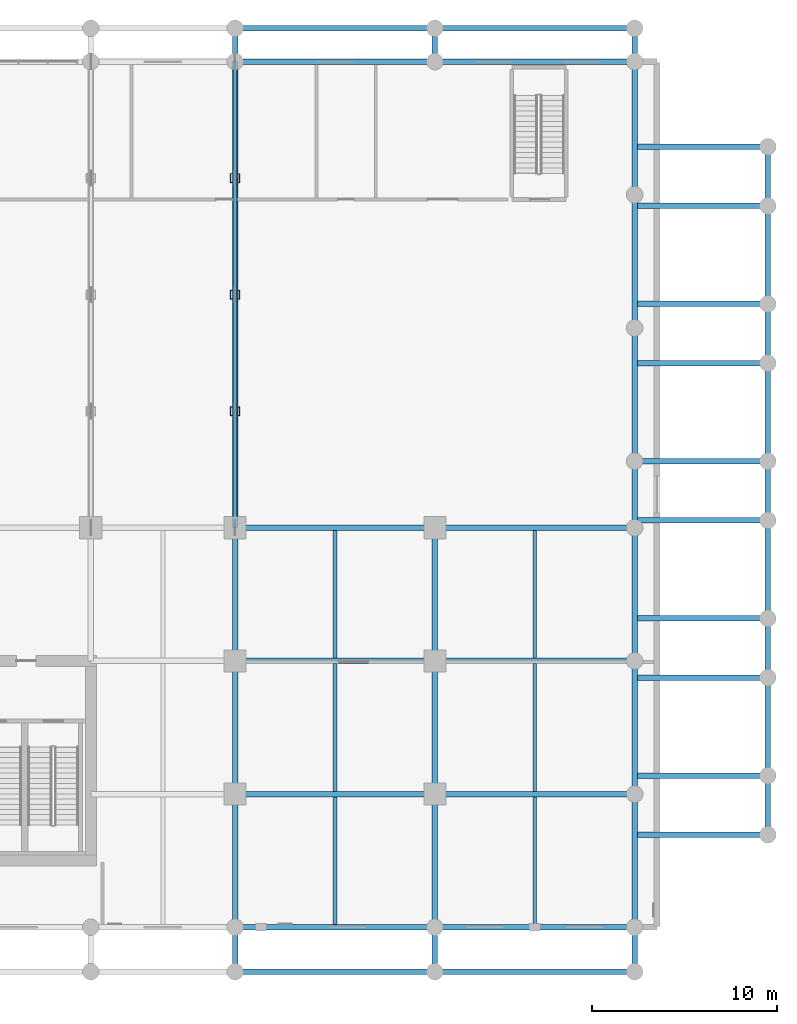
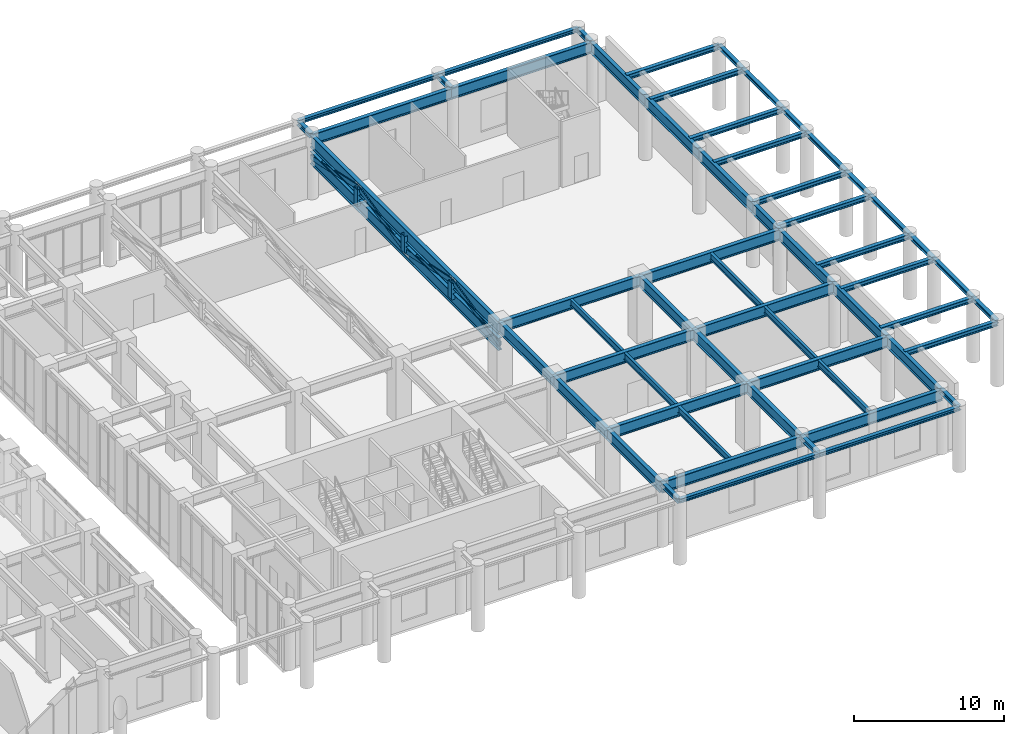
# One storey, part 10 of 24: 58 beams, 9 members.
"""IFC4 building model written with IfcOpenShell, lengths in metres."""

from ifc_helpers import new_model, si_unit, derived_unit, direction, frame, origin, origin_2d, place, context, subcontext, project, spatial, hollow_rectangle, i_section, extrude, source, transform, mapped, material, material_profile, profile_set, type_object, type_shapes, element, save


model = new_model("IFC4")

# Units and contexts
model_context = context("Model", 3, precision=1e-05, world=origin(), true_north=direction((0.0, 1.0)))
body_context = subcontext(model_context, "Body", "Model", "MODEL_VIEW")
ifc_project = project(units=[si_unit("LENGTHUNIT", "METRE"), si_unit("AREAUNIT", "SQUARE_METRE"), si_unit("VOLUMEUNIT", "CUBIC_METRE"), si_unit("PLANEANGLEUNIT", "RADIAN"), si_unit("MASSUNIT", "GRAM", prefix="KILO"), si_unit("THERMODYNAMICTEMPERATUREUNIT", "KELVIN"), si_unit("POWERUNIT", "WATT"), derived_unit("THERMALTRANSMITTANCEUNIT", [(si_unit("POWERUNIT", "WATT"), 1), (si_unit("AREAUNIT", "SQUARE_METRE"), -1), (si_unit("THERMODYNAMICTEMPERATUREUNIT", "KELVIN"), -1)])], contexts=[model_context])

# Site, building, storey
site_placement = place(None, origin())
site = spatial("IfcSite", under=ifc_project, at=site_placement, CompositionType="ELEMENT")
building_placement = place(site_placement, origin())
building = spatial("IfcBuilding", under=site, at=building_placement, Name="Zahravan Archway Hotel and Residences", CompositionType="ELEMENT")
storey_placement = place(building_placement, frame((0.0, 0.0, 10.800048828125)))
storey = spatial("IfcBuildingStorey", under=building, at=storey_placement, Name="L02", CompositionType="ELEMENT", Elevation=10.800048828125)

# Beams
ifc_material_1 = material(Name="Structural Steel S355J2", Category="steel")
ifc_material_profile_1 = material_profile(ifc_material_1, i_section(OverallWidth=0.300048828125, OverallDepth=0.89990234375, WebThickness=0.0185546875, FlangeThickness=0.034912109375, FilletRadius=0.030029296875, at=origin_2d()), Name="HEB 900", Category="steel")
ifc_profile_set_1 = profile_set([ifc_material_profile_1], Name="Structural Steel S355J2")
beam_type_1 = type_object("IfcBeamType", Name="BM-PRI-HEB900", PredefinedType="BEAM", material=ifc_profile_set_1)
shared_shape_1 = source(origin(), body_context, "Body", "SweptSolid", [
    extrude(i_section(OverallWidth=0.300048828125, OverallDepth=0.89990234375, WebThickness=0.0185546875, FlangeThickness=0.034912109375, FilletRadius=0.030029296875, at=origin_2d()), origin(), (0.0, 0.0, 1.0), 7.199951171875),
])
for number, where, z_axis, x_axis, name in (
    (1, (57.60009765625, 0.0, 4.64990234375), (0.0, 1.0, 0.0), (-1.0, 0.0, 0.0), "L02 Primary Girder NS-109"),
    (2, (57.60009765625, 7.199951171875, 4.64990234375), (0.0, 1.0, 0.0), (-1.0, 0.0, 0.0), "L02 Primary Girder NS-110"),
    (3, (68.39990234375, 0.0, 4.64990234375), (0.0, 1.0, 0.0), (-1.0, 0.0, 0.0), "L02 Primary Girder NS-112"),
    (4, (68.39990234375, 7.199951171875, 4.64990234375), (0.0, 1.0, 0.0), (-1.0, 0.0, 0.0), "L02 Primary Girder NS-113"),
    (5, (79.199951171875, 0.0, 4.64990234375), (0.0, 1.0, 0.0), (-1.0, 0.0, 0.0), "L02 Primary Girder NS-115"),
    (6, (79.199951171875, 7.199951171875, 4.64990234375), (0.0, 1.0, 0.0), (-1.0, 0.0, 0.0), "L02 Primary Girder NS-116"),
    (7, (79.199951171875, 25.199951171875, 4.64990234375), (0.0, 1.0, 0.0), (-1.0, 0.0, 0.0), "L02 Primary Girder NS-119"),
    (8, (79.199951171875, 39.60009765625, 4.64990234375), (0.0, 1.0, 0.0), (-1.0, 0.0, 0.0), "L02 Primary Girder NS-121"),
):
    element("IfcBeam", number, at=place(storey_placement, frame(where, z_axis=z_axis, x_axis=x_axis)), inside=storey, type_object=beam_type_1, Name=name, PredefinedType="BEAM", context=body_context, shape_type="MappedRepresentation", body=[
        mapped(shared_shape_1, transform((0.0, 0.0, 0.0), scale=1.0)),
    ])
shared_shape_2 = source(origin(), body_context, "Body", "SweptSolid", [
    extrude(i_section(OverallWidth=0.300048828125, OverallDepth=0.89990234375, WebThickness=0.0185546875, FlangeThickness=0.034912109375, FilletRadius=0.030029296875, at=origin_2d()), origin(), (0.0, 0.0, 1.0), 7.2001953125),
])
for number, where, z_axis, x_axis, name in (
    (9, (57.60009765625, 14.39990234375, 4.64990234375), (0.0, 1.0, 0.0), (-1.0, 0.0, 0.0), "L02 Primary Girder NS-111"),
    (10, (68.39990234375, 14.39990234375, 4.64990234375), (0.0, 1.0, 0.0), (-1.0, 0.0, 0.0), "L02 Primary Girder NS-114"),
    (11, (79.199951171875, 14.39990234375, 4.64990234375), (0.0, 1.0, 0.0), (-1.0, 0.0, 0.0), "L02 Primary Girder NS-117"),
    (12, (79.199951171875, 32.39990234375, 4.64990234375), (0.0, 1.0, 0.0), (-1.0, 0.0, 0.0), "L02 Primary Girder NS-120"),
):
    element("IfcBeam", number, at=place(storey_placement, frame(where, z_axis=z_axis, x_axis=x_axis)), inside=storey, type_object=beam_type_1, Name=name, PredefinedType="BEAM", context=body_context, shape_type="MappedRepresentation", body=[
        mapped(shared_shape_2, transform((0.0, 0.0, 0.0), scale=1.0)),
    ])
shared_shape_3 = source(origin(), body_context, "Body", "SweptSolid", [
    extrude(i_section(OverallWidth=0.300048828125, OverallDepth=0.89990234375, WebThickness=0.0185546875, FlangeThickness=0.034912109375, FilletRadius=0.030029296875, at=origin_2d()), origin(), (0.0, 0.0, 1.0), 10.7998046875),
])
for number, where, z_axis, x_axis, name in (
    (13, (57.60009765625, 0.0, 4.64990234375), (1.0, 0.0, 0.0), (0.0, 1.0, 0.0), "L02 Primary Girder EW-09"),
    (14, (57.60009765625, 7.199951171875, 4.64990234375), (1.0, 0.0, 0.0), (0.0, 1.0, 0.0), "L02 Primary Girder EW-17"),
    (15, (57.60009765625, 14.39990234375, 4.64990234375), (1.0, 0.0, 0.0), (0.0, 1.0, 0.0), "L02 Primary Girder EW-25"),
    (16, (57.60009765625, 21.60009765625, 4.64990234375), (1.0, 0.0, 0.0), (0.0, 1.0, 0.0), "L02 Primary Girder EW-35"),
    (17, (57.60009765625, 46.800048828125, 4.64990234375), (1.0, 0.0, 0.0), (0.0, 1.0, 0.0), "L02 Primary Girder EW-60"),
):
    element("IfcBeam", number, at=place(storey_placement, frame(where, z_axis=z_axis, x_axis=x_axis)), inside=storey, type_object=beam_type_1, Name=name, PredefinedType="BEAM", context=body_context, shape_type="MappedRepresentation", body=[
        mapped(shared_shape_3, transform((0.0, 0.0, 0.0), scale=1.0)),
    ])
shared_shape_4 = source(origin(), body_context, "Body", "SweptSolid", [
    extrude(i_section(OverallWidth=0.300048828125, OverallDepth=0.89990234375, WebThickness=0.0185546875, FlangeThickness=0.034912109375, FilletRadius=0.030029296875, at=origin_2d()), origin(), (0.0, 0.0, 1.0), 10.800048828125),
])
for number, where, z_axis, x_axis, name in (
    (18, (68.39990234375, 0.0, 4.64990234375), (1.0, 0.0, 0.0), (0.0, 1.0, 0.0), "L02 Primary Girder EW-10"),
    (19, (68.39990234375, 7.199951171875, 4.64990234375), (1.0, 0.0, 0.0), (0.0, 1.0, 0.0), "L02 Primary Girder EW-18"),
    (20, (68.39990234375, 14.39990234375, 4.64990234375), (1.0, 0.0, 0.0), (0.0, 1.0, 0.0), "L02 Primary Girder EW-26"),
    (21, (68.39990234375, 21.60009765625, 4.64990234375), (1.0, 0.0, 0.0), (0.0, 1.0, 0.0), "L02 Primary Girder EW-36"),
    (22, (68.39990234375, 46.800048828125, 4.64990234375), (1.0, 0.0, 0.0), (0.0, 1.0, 0.0), "L02 Primary Girder EW-61"),
):
    element("IfcBeam", number, at=place(storey_placement, frame(where, z_axis=z_axis, x_axis=x_axis)), inside=storey, type_object=beam_type_1, Name=name, PredefinedType="BEAM", context=body_context, shape_type="MappedRepresentation", body=[
        mapped(shared_shape_4, transform((0.0, 0.0, 0.0), scale=1.0)),
    ])
shared_shape_5 = source(origin(), body_context, "Body", "SweptSolid", [
    extrude(i_section(OverallWidth=0.300048828125, OverallDepth=0.89990234375, WebThickness=0.0185546875, FlangeThickness=0.034912109375, FilletRadius=0.030029296875, at=origin_2d()), origin(), (0.0, 0.0, 1.0), 3.599853515625),
])
beam_placement = place(storey_placement, frame((79.199951171875, 21.60009765625, 4.64990234375), z_axis=(0.0, 1.0, 0.0), x_axis=(-1.0, 0.0, 0.0)))
element("IfcBeam", 23, at=beam_placement, inside=storey, type_object=beam_type_1, Name="L02 Primary Girder NS-118", PredefinedType="BEAM", context=body_context, shape_type="MappedRepresentation", body=[
    mapped(shared_shape_5, transform((0.0, 0.0, 0.0), scale=1.0)),
])
ifc_material_2 = material(Name="Structural Steel S355JR", Category="steel")
ifc_material_profile_2 = material_profile(ifc_material_2, i_section(OverallWidth=0.2099609375, OverallDepth=0.550048828125, WebThickness=0.010986328125, FlangeThickness=0.01708984375, FilletRadius=0.02392578125, at=origin_2d()), Name="IPE 550", Category="steel")
ifc_profile_set_2 = profile_set([ifc_material_profile_2], Name="Structural Steel S355JR")
beam_type_2 = type_object("IfcBeamType", Name="BM-JST-IPE550", PredefinedType="JOIST", material=ifc_profile_set_2)
shared_shape_6 = source(origin(), body_context, "Body", "SweptSolid", [
    extrude(i_section(OverallWidth=0.2099609375, OverallDepth=0.550048828125, WebThickness=0.010986328125, FlangeThickness=0.01708984375, FilletRadius=0.02392578125, at=origin_2d()), origin(), (0.0, 0.0, 1.0), 6.904052734375),
])
type_shapes(beam_type_2, [shared_shape_6])
for number, where, z_axis, x_axis, name in (
    (24, (63.0, 0.14794921875, 4.824951171875), (0.0, 1.0, 0.0), (-1.0, 0.0, 0.0), "L02 Composite Floor Joist 07"),
    (25, (73.800048828125, 0.14794921875, 4.824951171875), (0.0, 1.0, 0.0), (-1.0, 0.0, 0.0), "L02 Composite Floor Joist 08"),
    (26, (63.0, 7.347900390625, 4.824951171875), (0.0, 1.0, 0.0), (-1.0, 0.0, 0.0), "L02 Composite Floor Joist 15"),
    (27, (73.800048828125, 7.347900390625, 4.824951171875), (0.0, 1.0, 0.0), (-1.0, 0.0, 0.0), "L02 Composite Floor Joist 16"),
):
    element("IfcBeam", number, at=place(storey_placement, frame(where, z_axis=z_axis, x_axis=x_axis)), inside=storey, type_object=beam_type_2, Name=name, PredefinedType="JOIST", context=body_context, shape_type="MappedRepresentation", body=[
        mapped(shared_shape_6, transform((0.0, 0.0, 0.0), scale=1.0)),
    ])
shared_shape_7 = source(origin(), body_context, "Body", "SweptSolid", [
    extrude(i_section(OverallWidth=0.2099609375, OverallDepth=0.550048828125, WebThickness=0.010986328125, FlangeThickness=0.01708984375, FilletRadius=0.02392578125, at=origin_2d()), origin(), (0.0, 0.0, 1.0), 6.90380859375),
])
for number, where, z_axis, x_axis, name in (
    (28, (63.0, 14.548095703125, 4.824951171875), (0.0, 1.0, 0.0), (-1.0, 0.0, 0.0), "L02 Composite Floor Joist 23"),
    (29, (73.800048828125, 14.548095703125, 4.824951171875), (0.0, 1.0, 0.0), (-1.0, 0.0, 0.0), "L02 Composite Floor Joist 24"),
):
    element("IfcBeam", number, at=place(storey_placement, frame(where, z_axis=z_axis, x_axis=x_axis)), inside=storey, type_object=beam_type_2, Name=name, PredefinedType="JOIST", context=body_context, shape_type="MappedRepresentation", body=[
        mapped(shared_shape_7, transform((0.0, 0.0, 0.0), scale=1.0)),
    ])
ifc_material_profile_3 = material_profile(ifc_material_2, i_section(OverallWidth=0.300048828125, OverallDepth=0.39990234375, WebThickness=0.013427734375, FlangeThickness=0.02392578125, FilletRadius=0.027099609375, at=origin_2d()), Name="HEB 400", Category="steel")
ifc_profile_set_3 = profile_set([ifc_material_profile_3], Name="Structural Steel S355JR")
beam_type_3 = type_object("IfcBeamType", Name="BM-PRI-HEB400", PredefinedType="BEAM", material=ifc_profile_set_3)
shared_shape_8 = source(origin(), body_context, "Body", "SweptSolid", [
    extrude(i_section(OverallWidth=0.300048828125, OverallDepth=0.39990234375, WebThickness=0.013427734375, FlangeThickness=0.02392578125, FilletRadius=0.027099609375, at=origin_2d()), origin(), (0.0, 0.0, 1.0), 7.199951171875),
])
type_shapes(beam_type_3, [shared_shape_8])
for number, where, z_axis, x_axis, name in (
    (30, (79.199951171875, 5.0, 4.9599609375), (1.0, 0.0, 0.0), (0.0, 1.0, 0.0), "L02 East Colonnade Tie Girder 1"),
    (31, (79.199951171875, 8.199951171875, 4.9599609375), (1.0, 0.0, 0.0), (0.0, 1.0, 0.0), "L02 East Colonnade Tie Girder 2"),
    (32, (79.199951171875, 13.5, 4.9599609375), (1.0, 0.0, 0.0), (0.0, 1.0, 0.0), "L02 East Colonnade Tie Girder 3"),
    (33, (79.199951171875, 16.699951171875, 4.9599609375), (1.0, 0.0, 0.0), (0.0, 1.0, 0.0), "L02 East Colonnade Tie Girder 4"),
    (34, (79.199951171875, 22.0, 4.9599609375), (1.0, 0.0, 0.0), (0.0, 1.0, 0.0), "L02 East Colonnade Tie Girder 5"),
    (35, (79.199951171875, 25.199951171875, 4.9599609375), (1.0, 0.0, 0.0), (0.0, 1.0, 0.0), "L02 East Colonnade Tie Girder 6"),
    (36, (79.199951171875, 30.5, 4.9599609375), (1.0, 0.0, 0.0), (0.0, 1.0, 0.0), "L02 East Colonnade Tie Girder 7"),
    (37, (79.199951171875, 33.699951171875, 4.9599609375), (1.0, 0.0, 0.0), (0.0, 1.0, 0.0), "L02 East Colonnade Tie Girder 8"),
    (38, (79.199951171875, 39.0, 4.9599609375), (1.0, 0.0, 0.0), (0.0, 1.0, 0.0), "L02 East Colonnade Tie Girder 9"),
    (39, (79.199951171875, 42.199951171875, 4.9599609375), (1.0, 0.0, 0.0), (0.0, 1.0, 0.0), "L02 East Colonnade Tie Girder 10"),
):
    element("IfcBeam", number, at=place(storey_placement, frame(where, z_axis=z_axis, x_axis=x_axis)), inside=storey, type_object=beam_type_3, Name=name, PredefinedType="BEAM", context=body_context, shape_type="MappedRepresentation", body=[
        mapped(shared_shape_8, transform((0.0, 0.0, 0.0), scale=1.0)),
    ])
shared_shape_9 = source(origin(), body_context, "Body", "SweptSolid", [
    extrude(i_section(OverallWidth=0.300048828125, OverallDepth=0.39990234375, WebThickness=0.013427734375, FlangeThickness=0.02392578125, FilletRadius=0.027099609375, at=origin_2d()), origin(), (0.0, 0.0, 1.0), 2.39990234375),
])
for number, where, z_axis, x_axis, name in (
    (40, (57.60009765625, -2.39990234375, 4.9599609375), (0.0, 1.0, 0.0), (-1.0, 0.0, 0.0), "L02 South Colonnade Tie Girder 9"),
    (41, (68.39990234375, -2.39990234375, 4.9599609375), (0.0, 1.0, 0.0), (-1.0, 0.0, 0.0), "L02 South Colonnade Tie Girder 10"),
    (42, (79.199951171875, -2.39990234375, 4.9599609375), (0.0, 1.0, 0.0), (-1.0, 0.0, 0.0), "L02 South Colonnade Tie Girder 11"),
):
    element("IfcBeam", number, at=place(storey_placement, frame(where, z_axis=z_axis, x_axis=x_axis)), inside=storey, type_object=beam_type_3, Name=name, PredefinedType="BEAM", context=body_context, shape_type="MappedRepresentation", body=[
        mapped(shared_shape_9, transform((0.0, 0.0, 0.0), scale=1.0)),
    ])
shared_shape_10 = source(origin(), body_context, "Body", "SweptSolid", [
    extrude(i_section(OverallWidth=0.300048828125, OverallDepth=0.39990234375, WebThickness=0.013427734375, FlangeThickness=0.02392578125, FilletRadius=0.027099609375, at=origin_2d()), origin(), (0.0, 0.0, 1.0), 1.800048828125),
])
for number, where, z_axis, x_axis, name in (
    (43, (57.60009765625, 46.800048828125, 4.9599609375), (0.0, 1.0, 0.0), (-1.0, 0.0, 0.0), "L02 North Colonnade Tie Girder 9"),
    (44, (68.39990234375, 46.800048828125, 4.9599609375), (0.0, 1.0, 0.0), (-1.0, 0.0, 0.0), "L02 North Colonnade Tie Girder 10"),
    (45, (79.199951171875, 46.800048828125, 4.9599609375), (0.0, 1.0, 0.0), (-1.0, 0.0, 0.0), "L02 North Colonnade Tie Girder 11"),
):
    element("IfcBeam", number, at=place(storey_placement, frame(where, z_axis=z_axis, x_axis=x_axis)), inside=storey, type_object=beam_type_3, Name=name, PredefinedType="BEAM", context=body_context, shape_type="MappedRepresentation", body=[
        mapped(shared_shape_10, transform((0.0, 0.0, 0.0), scale=1.0)),
    ])
ifc_material_profile_4 = material_profile(ifc_material_2, i_section(OverallWidth=0.300048828125, OverallDepth=0.320068359375, WebThickness=0.011474609375, FlangeThickness=0.0205078125, FilletRadius=0.027099609375, at=origin_2d()), Name="HEB 320", Category="steel")
ifc_profile_set_4 = profile_set([ifc_material_profile_4], Name="Structural Steel S355JR")
beam_type_4 = type_object("IfcBeamType", Name="BM-SPN-HEB320", PredefinedType="SPANDREL", material=ifc_profile_set_4)
shared_shape_11 = source(origin(), body_context, "Body", "SweptSolid", [
    extrude(i_section(OverallWidth=0.300048828125, OverallDepth=0.320068359375, WebThickness=0.011474609375, FlangeThickness=0.0205078125, FilletRadius=0.027099609375, at=origin_2d()), origin(), (0.0, 0.0, 1.0), 10.7998046875),
])
for number, where, z_axis, x_axis, name in (
    (46, (57.60009765625, -2.39990234375, 5.0), (1.0, 0.0, 0.0), (0.0, 1.0, 0.0), "L02 South Colonnade Spandrel 9"),
    (47, (57.60009765625, 48.60009765625, 5.0), (1.0, 0.0, 0.0), (0.0, 1.0, 0.0), "L02 North Colonnade Spandrel 9"),
):
    element("IfcBeam", number, at=place(storey_placement, frame(where, z_axis=z_axis, x_axis=x_axis)), inside=storey, type_object=beam_type_4, Name=name, PredefinedType="SPANDREL", context=body_context, shape_type="MappedRepresentation", body=[
        mapped(shared_shape_11, transform((0.0, 0.0, 0.0), scale=1.0)),
    ])
shared_shape_12 = source(origin(), body_context, "Body", "SweptSolid", [
    extrude(i_section(OverallWidth=0.300048828125, OverallDepth=0.320068359375, WebThickness=0.011474609375, FlangeThickness=0.0205078125, FilletRadius=0.027099609375, at=origin_2d()), origin(), (0.0, 0.0, 1.0), 10.800048828125),
])
for number, where, z_axis, x_axis, name in (
    (48, (68.39990234375, -2.39990234375, 5.0), (1.0, 0.0, 0.0), (0.0, 1.0, 0.0), "L02 South Colonnade Spandrel 10"),
    (49, (68.39990234375, 48.60009765625, 5.0), (1.0, 0.0, 0.0), (0.0, 1.0, 0.0), "L02 North Colonnade Spandrel 10"),
):
    element("IfcBeam", number, at=place(storey_placement, frame(where, z_axis=z_axis, x_axis=x_axis)), inside=storey, type_object=beam_type_4, Name=name, PredefinedType="SPANDREL", context=body_context, shape_type="MappedRepresentation", body=[
        mapped(shared_shape_12, transform((0.0, 0.0, 0.0), scale=1.0)),
    ])
shared_shape_13 = source(origin(), body_context, "Body", "SweptSolid", [
    extrude(i_section(OverallWidth=0.300048828125, OverallDepth=0.320068359375, WebThickness=0.011474609375, FlangeThickness=0.0205078125, FilletRadius=0.027099609375, at=origin_2d()), origin(), (0.0, 0.0, 1.0), 3.199951171875),
])
for number, where, z_axis, x_axis, name in (
    (50, (86.39990234375, 5.0, 5.0), (0.0, 1.0, 0.0), (-1.0, 0.0, 0.0), "L02 East Colonnade Spandrel 1"),
    (51, (86.39990234375, 13.5, 5.0), (0.0, 1.0, 0.0), (-1.0, 0.0, 0.0), "L02 East Colonnade Spandrel 3"),
    (52, (86.39990234375, 22.0, 5.0), (0.0, 1.0, 0.0), (-1.0, 0.0, 0.0), "L02 East Colonnade Spandrel 5"),
    (53, (86.39990234375, 30.5, 5.0), (0.0, 1.0, 0.0), (-1.0, 0.0, 0.0), "L02 East Colonnade Spandrel 7"),
    (54, (86.39990234375, 39.0, 5.0), (0.0, 1.0, 0.0), (-1.0, 0.0, 0.0), "L02 East Colonnade Spandrel 9"),
):
    element("IfcBeam", number, at=place(storey_placement, frame(where, z_axis=z_axis, x_axis=x_axis)), inside=storey, type_object=beam_type_4, Name=name, PredefinedType="SPANDREL", context=body_context, shape_type="MappedRepresentation", body=[
        mapped(shared_shape_13, transform((0.0, 0.0, 0.0), scale=1.0)),
    ])
shared_shape_14 = source(origin(), body_context, "Body", "SweptSolid", [
    extrude(i_section(OverallWidth=0.300048828125, OverallDepth=0.320068359375, WebThickness=0.011474609375, FlangeThickness=0.0205078125, FilletRadius=0.027099609375, at=origin_2d()), origin(), (0.0, 0.0, 1.0), 5.300048828125),
])
for number, where, z_axis, x_axis, name in (
    (55, (86.39990234375, 8.199951171875, 5.0), (0.0, 1.0, 0.0), (-1.0, 0.0, 0.0), "L02 East Colonnade Spandrel 2"),
    (56, (86.39990234375, 16.699951171875, 5.0), (0.0, 1.0, 0.0), (-1.0, 0.0, 0.0), "L02 East Colonnade Spandrel 4"),
    (57, (86.39990234375, 25.199951171875, 5.0), (0.0, 1.0, 0.0), (-1.0, 0.0, 0.0), "L02 East Colonnade Spandrel 6"),
    (58, (86.39990234375, 33.699951171875, 5.0), (0.0, 1.0, 0.0), (-1.0, 0.0, 0.0), "L02 East Colonnade Spandrel 8"),
):
    element("IfcBeam", number, at=place(storey_placement, frame(where, z_axis=z_axis, x_axis=x_axis)), inside=storey, type_object=beam_type_4, Name=name, PredefinedType="SPANDREL", context=body_context, shape_type="MappedRepresentation", body=[
        mapped(shared_shape_14, transform((0.0, 0.0, 0.0), scale=1.0)),
    ])

# Members
ifc_material_3 = material(Name="Structural Steel S460M", Category="steel")
ifc_material_profile_5 = material_profile(ifc_material_3, i_section(OverallWidth=0.302001953125, OverallDepth=1.008056640625, WebThickness=0.02099609375, FlangeThickness=0.0400390625, FilletRadius=0.030029296875, at=origin_2d()), Name="HEM 1000", Category="steel")
ifc_profile_set_5 = profile_set([ifc_material_profile_5], Name="Structural Steel S460M")
member_type_1 = type_object("IfcMemberType", Name="MEM-CHD-HEM1000", PredefinedType="CHORD", material=ifc_profile_set_5)
shared_shape_15 = source(origin(), body_context, "Body", "SweptSolid", [
    extrude(i_section(OverallWidth=0.302001953125, OverallDepth=1.008056640625, WebThickness=0.02099609375, FlangeThickness=0.0400390625, FilletRadius=0.030029296875, at=origin_2d()), origin(), (0.0, 0.0, 1.0), 25.199951171875),
])
type_shapes(member_type_1, [shared_shape_15])
for number, where, z_axis, x_axis, name in (
    (59, (57.60009765625, 21.60009765625, 4.550048828125), (0.0, 1.0, 0.0), (-1.0, 0.0, 0.0), "L02 Long-Span Transfer Truss 3 Top Chord"),
    (60, (57.60009765625, 21.60009765625, 3.199951171875), (0.0, 1.0, 0.0), (-1.0, 0.0, 0.0), "L02 Long-Span Transfer Truss 3 Bottom Chord"),
):
    element("IfcMember", number, at=place(storey_placement, frame(where, z_axis=z_axis, x_axis=x_axis)), inside=storey, type_object=member_type_1, Name=name, PredefinedType="CHORD", context=body_context, shape_type="MappedRepresentation", body=[
        mapped(shared_shape_15, transform((0.0, 0.0, 0.0), scale=1.0)),
    ])
ifc_material_profile_6 = material_profile(ifc_material_3, hollow_rectangle(XDim=0.5, YDim=0.5, WallThickness=0.02490234375, at=origin_2d()), Name="SHS 500x500x25", Category="steel")
ifc_profile_set_6 = profile_set([ifc_material_profile_6], Name="Structural Steel S460M")
member_type_2 = type_object("IfcMemberType", Name="MEM-POST-SHS500", PredefinedType="POST", material=ifc_profile_set_6)
shared_shape_16 = source(origin(), body_context, "Body", "SweptSolid", [
    extrude(hollow_rectangle(XDim=0.5, YDim=0.5, WallThickness=0.02490234375, at=origin_2d()), origin(), (0.0, 0.0, 1.0), 1.35009765625),
])
type_shapes(member_type_2, [shared_shape_16])
for number, where, z_axis, x_axis, name in (
    (61, (57.60009765625, 27.89990234375, 3.199951171875), (0.0, 0.0, 1.0), (1.0, 0.0, 0.0), "L02 Long-Span Truss 3 Post 1"),
    (62, (57.60009765625, 34.199951171875, 3.199951171875), (0.0, 0.0, 1.0), (1.0, 0.0, 0.0), "L02 Long-Span Truss 3 Post 2"),
    (63, (57.60009765625, 40.5, 3.199951171875), (0.0, 0.0, 1.0), (1.0, 0.0, 0.0), "L02 Long-Span Truss 3 Post 3"),
):
    element("IfcMember", number, at=place(storey_placement, frame(where, z_axis=z_axis, x_axis=x_axis)), inside=storey, type_object=member_type_2, Name=name, PredefinedType="POST", context=body_context, shape_type="MappedRepresentation", body=[
        mapped(shared_shape_16, transform((0.0, 0.0, 0.0), scale=1.0)),
    ])
ifc_material_profile_7 = material_profile(ifc_material_1, hollow_rectangle(XDim=0.199951171875, YDim=0.39990234375, WallThickness=0.01611328125, InnerFilletRadius=0.01611328125, OuterFilletRadius=0.031982421875, at=origin_2d()), Name="RHS 400x200x16", Category="steel")
ifc_profile_set_7 = profile_set([ifc_material_profile_7], Name="Structural Steel S355J2")
member_type_3 = type_object("IfcMemberType", Name="MEM-DIAG-RHS400", PredefinedType="BRACE", material=ifc_profile_set_7)
shared_shape_17 = source(origin(), body_context, "Body", "SweptSolid", [
    extrude(hollow_rectangle(XDim=0.199951171875, YDim=0.39990234375, WallThickness=0.01611328125, InnerFilletRadius=0.01611328125, OuterFilletRadius=0.031982421875, at=origin_2d()), origin(), (0.0, 0.0, 1.0), 6.44287109375),
])
type_shapes(member_type_3, [shared_shape_17])
member_placement = place(storey_placement, frame((57.60009765625, 21.60009765625, 3.199951171875), z_axis=(0.0, 0.977797977573, 0.209549791349), x_axis=(-1.0, 0.0, 0.0)))
element("IfcMember", 64, at=member_placement, inside=storey, type_object=member_type_3, Name="L02 Long-Span Truss 3 Diagonal 1", PredefinedType="BRACE", context=body_context, shape_type="MappedRepresentation", body=[
    mapped(shared_shape_17, transform((0.0, 0.0, 0.0), scale=1.0)),
])
shared_shape_18 = source(origin(), body_context, "Body", "SweptSolid", [
    extrude(hollow_rectangle(XDim=0.199951171875, YDim=0.39990234375, WallThickness=0.01611328125, InnerFilletRadius=0.01611328125, OuterFilletRadius=0.031982421875, at=origin_2d()), origin(), (0.0, 0.0, 1.0), 6.443115234375),
])
for number, where, z_axis, x_axis, name in (
    (65, (57.60009765625, 27.89990234375, 4.550048828125), (0.0, 0.977799641416, -0.209542027399), (-1.0, 0.0, 0.0), "L02 Long-Span Truss 3 Diagonal 2"),
    (66, (57.60009765625, 34.199951171875, 3.199951171875), (0.0, 0.977799641416, 0.209542027399), (-1.0, 0.0, 0.0), "L02 Long-Span Truss 3 Diagonal 3"),
    (67, (57.60009765625, 40.5, 4.550048828125), (0.0, 0.977799641416, -0.209542027399), (-1.0, 0.0, 0.0), "L02 Long-Span Truss 3 Diagonal 4"),
):
    element("IfcMember", number, at=place(storey_placement, frame(where, z_axis=z_axis, x_axis=x_axis)), inside=storey, type_object=member_type_3, Name=name, PredefinedType="BRACE", context=body_context, shape_type="MappedRepresentation", body=[
        mapped(shared_shape_18, transform((0.0, 0.0, 0.0), scale=1.0)),
    ])

save(model, "model.ifc")
